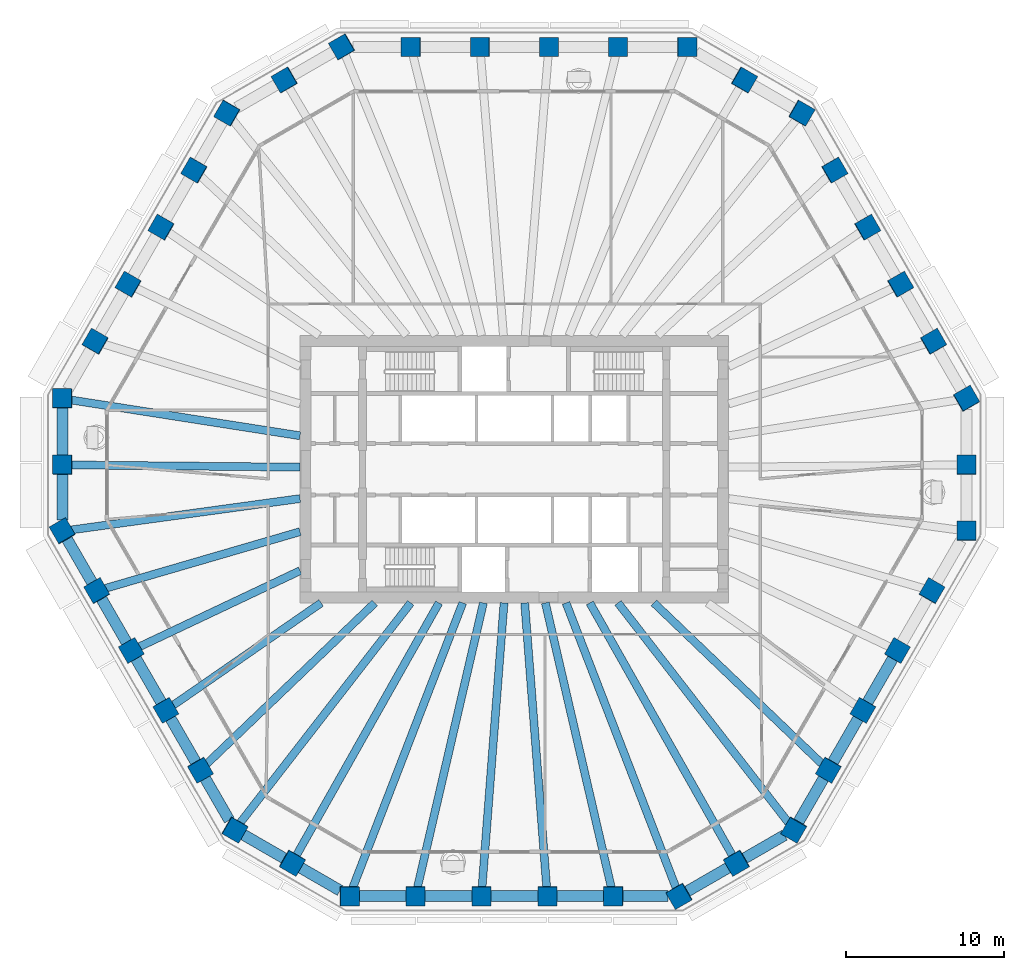
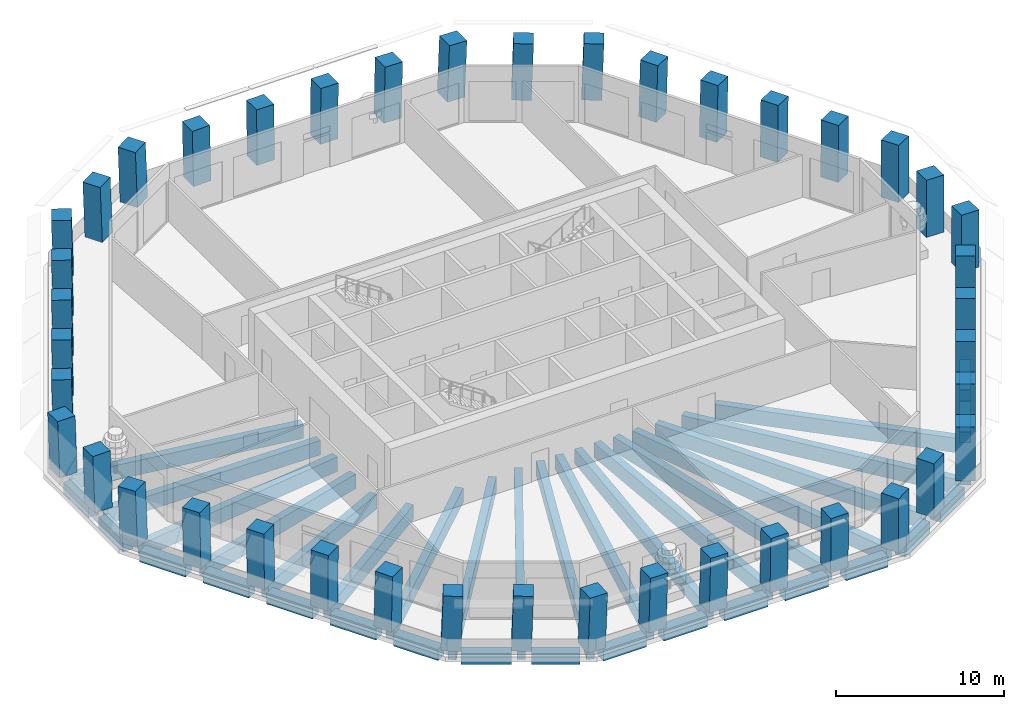
# One storey, part 1 of 12: 42 columns, 37 beams.
"""IFC4 building model written with IfcOpenShell, lengths in metres."""

from ifc_helpers import new_model, si_unit, direction, frame, origin, origin_2d, place, context, subcontext, project, spatial, rectangle, extrude, material, material_profile, profile_set, type_object, element, save


model = new_model("IFC4")

# Units and contexts
model_context = context("Model", 3, precision=1e-05, world=origin(), true_north=direction((0.0, 1.0)))
body_context = subcontext(model_context, "Body", "Model", "MODEL_VIEW")
ifc_project = project(units=[si_unit("LENGTHUNIT", "METRE"), si_unit("AREAUNIT", "SQUARE_METRE"), si_unit("VOLUMEUNIT", "CUBIC_METRE"), si_unit("PLANEANGLEUNIT", "RADIAN"), si_unit("MASSUNIT", "GRAM", prefix="KILO")], contexts=[model_context])

# Site, building, storey
site_placement = place(None, origin())
site = spatial("IfcSite", under=ifc_project, at=site_placement, CompositionType="ELEMENT")
building_placement = place(site_placement, origin())
building = spatial("IfcBuilding", under=site, at=building_placement, Name="Frailejon Research Tower", CompositionType="ELEMENT")
storey_placement = place(building_placement, frame((0.0, 0.0, 154.0)))
storey = spatial("IfcBuildingStorey", under=building, at=storey_placement, Name="L33", CompositionType="ELEMENT", Elevation=154.0)

# Columns
ifc_material_1 = material(Name="Concrete C60/75", Category="concrete")
ifc_material_profile_1 = material_profile(ifc_material_1, rectangle(XDim=1.199951171875, YDim=1.199951171875, at=origin_2d()), Name="Column 1200")
ifc_profile_set_1 = profile_set([ifc_material_profile_1], Name="Concrete C60/75")
column_type = type_object("IfcColumnType", Name="Column 1200", PredefinedType="COLUMN", material=ifc_profile_set_1)
for number, where, z_axis, x_axis, name in (
    (1, (28.572509765625, -3.910888671875, 0.0), (0.018132630042, 0.031385715123, 0.999342856388), (-2.2275817e-05, 0.999507197449, -0.031390472292), "Column C01"),
    (2, (28.572509765625, 0.276611328125, 0.0), (0.018132630042, 0.031385715123, 0.999342856388), (-0.000336383425, 0.999507319949, -0.031384776797), "Column C02"),
    (3, (28.572509765625, 4.464111328125, 0.0), (0.018132630042, 0.031385715123, 0.999342856388), (-0.499938597704, 0.865871218169, -0.018122694964), "Column C03"),
):
    element("IfcColumn", number, at=place(storey_placement, frame(where, z_axis=z_axis, x_axis=x_axis)), inside=storey, type_object=column_type, Name=name, PredefinedType="COLUMN", context=body_context, shape_type="SweptSolid", body=[
        extrude(rectangle(XDim=1.199951171875, YDim=1.199951171875, at=origin_2d()), origin(), (0.0, 0.0, 1.0), 4.052734375),
    ])
column_1_placement = place(storey_placement, frame((26.48828125, 8.07373046875, 0.0), z_axis=(0.021809609218, 0.025123223878, 0.999446429063), x_axis=(-0.499316957517, 0.86635106376, -0.010881647777)))
element("IfcColumn", 4, at=column_1_placement, inside=storey, type_object=column_type, Name="Column C04", PredefinedType="COLUMN", context=body_context, shape_type="SweptSolid", body=[
    extrude(rectangle(XDim=1.199951171875, YDim=1.199951171875, at=origin_2d()), origin(), (0.0, 0.0, 1.0), 4.05224609375),
])
for number, where, z_axis, x_axis, name in (
    (5, (24.404296875, 11.683349609375, 0.0), (0.025425794273, 0.018858468264, 0.999498817988), (-0.499709914648, 0.866185208492, -0.003631224684), "Column C05"),
    (6, (22.3203125, 15.293212890625, 0.0), (0.029040860623, 0.012532155622, 0.999499661576), (-0.498795158794, 0.866712319891, 0.003625480981), "Column C06"),
):
    element("IfcColumn", number, at=place(storey_placement, frame(where, z_axis=z_axis, x_axis=x_axis)), inside=storey, type_object=column_type, Name=name, PredefinedType="COLUMN", context=body_context, shape_type="SweptSolid", body=[
        extrude(rectangle(XDim=1.199951171875, YDim=1.199951171875, at=origin_2d()), origin(), (0.0, 0.0, 1.0), 4.052001953125),
    ])
column_2_placement = place(storey_placement, frame((20.236328125, 18.90283203125, 0.0), z_axis=(0.032654187208, 0.006265748099, 0.999447069363), x_axis=(-0.499519823947, 0.866234008258, 0.010889831076)))
element("IfcColumn", 7, at=column_2_placement, inside=storey, type_object=column_type, Name="Column C07", PredefinedType="COLUMN", context=body_context, shape_type="SweptSolid", body=[
    extrude(rectangle(XDim=1.199951171875, YDim=1.199951171875, at=origin_2d()), origin(), (0.0, 0.0, 1.0), 4.05224609375),
])
for number, where, z_axis, x_axis, name in (
    (8, (18.15234375, 22.512451171875, 0.0), (0.036265236264, 0.0, 0.999342199969), (-0.865313546461, 0.500246354177, 0.031401456084), "Column C08"),
    (9, (14.525634765625, 24.606201171875, 0.0), (0.036265236264, 0.0, 0.999342199969), (-0.865313546461, 0.500246354177, 0.031401456084), "Column C09"),
    (10, (10.899169921875, 26.699951171875, 0.0), (0.036265236264, 0.0, 0.999342199969), (-0.999342199969, 0.0, 0.036265236264), "Column C10"),
):
    element("IfcColumn", number, at=place(storey_placement, frame(where, z_axis=z_axis, x_axis=x_axis)), inside=storey, type_object=column_type, Name=name, PredefinedType="COLUMN", context=body_context, shape_type="SweptSolid", body=[
        extrude(rectangle(XDim=1.199951171875, YDim=1.199951171875, at=origin_2d()), origin(), (0.0, 0.0, 1.0), 4.052734375),
    ])
column_3_placement = place(storey_placement, frame((6.53955078125, 26.699951171875, 0.0), z_axis=(0.021756257337, 0.0, 0.999763304621), x_axis=(-0.999763304621, 0.0, 0.021756257337)))
element("IfcColumn", 11, at=column_3_placement, inside=storey, type_object=column_type, Name="Column C11", PredefinedType="COLUMN", context=body_context, shape_type="SweptSolid", body=[
    extrude(rectangle(XDim=1.199951171875, YDim=1.199951171875, at=origin_2d()), origin(), (0.0, 0.0, 1.0), 4.051025390625),
])
for number, where, z_axis, x_axis, name in (
    (12, (2.1796875, 26.699951171875, 0.0), (0.007293795973, 0.0, 0.999973399916), (-0.999973399916, 0.0, 0.007293795973), "Column C12"),
    (13, (-2.1796875, 26.699951171875, 0.0), (-0.007293795973, 0.0, 0.999973399916), (-0.999973399916, 0.0, -0.007293795973), "Column C13"),
):
    element("IfcColumn", number, at=place(storey_placement, frame(where, z_axis=z_axis, x_axis=x_axis)), inside=storey, type_object=column_type, Name=name, PredefinedType="COLUMN", context=body_context, shape_type="SweptSolid", body=[
        extrude(rectangle(XDim=1.199951171875, YDim=1.199951171875, at=origin_2d()), origin(), (0.0, 0.0, 1.0), 4.050048828125),
    ])
column_4_placement = place(storey_placement, frame((-6.53955078125, 26.699951171875, 0.0), z_axis=(-0.021756257337, 0.0, 0.999763304621), x_axis=(-0.999763304621, 0.0, -0.021756257337)))
element("IfcColumn", 14, at=column_4_placement, inside=storey, type_object=column_type, Name="Column C14", PredefinedType="COLUMN", context=body_context, shape_type="SweptSolid", body=[
    extrude(rectangle(XDim=1.199951171875, YDim=1.199951171875, at=origin_2d()), origin(), (0.0, 0.0, 1.0), 4.051025390625),
])
for number, where, z_axis, x_axis, name in (
    (15, (-10.899169921875, 26.699951171875, 0.0), (-0.036265236264, 0.0, 0.999342199969), (-0.865313546461, -0.500246354177, -0.031401456084), "Column C15"),
    (16, (-14.525634765625, 24.606201171875, 0.0), (-0.036265236264, 0.0, 0.999342199969), (-0.865313546461, -0.500246354177, -0.031401456084), "Column C16"),
    (17, (-18.15234375, 22.512451171875, 0.0), (-0.036265236264, 0.0, 0.999342199969), (-0.499424867419, -0.866167613071, -0.018123682572), "Column C17"),
):
    element("IfcColumn", number, at=place(storey_placement, frame(where, z_axis=z_axis, x_axis=x_axis)), inside=storey, type_object=column_type, Name=name, PredefinedType="COLUMN", context=body_context, shape_type="SweptSolid", body=[
        extrude(rectangle(XDim=1.199951171875, YDim=1.199951171875, at=origin_2d()), origin(), (0.0, 0.0, 1.0), 4.052734375),
    ])
column_5_placement = place(storey_placement, frame((-20.236328125, 18.90283203125, 0.0), z_axis=(-0.032654187208, 0.006265748099, 0.999447069363), x_axis=(-0.499519823947, -0.866234008258, -0.010889831076)))
element("IfcColumn", 18, at=column_5_placement, inside=storey, type_object=column_type, Name="Column C18", PredefinedType="COLUMN", context=body_context, shape_type="SweptSolid", body=[
    extrude(rectangle(XDim=1.199951171875, YDim=1.199951171875, at=origin_2d()), origin(), (0.0, 0.0, 1.0), 4.05224609375),
])
for number, where, z_axis, x_axis, name in (
    (19, (-22.3203125, 15.293212890625, 0.0), (-0.029040860623, 0.012532155622, 0.999499661576), (-0.498795158794, -0.866712319891, -0.003625480981), "Column C19"),
    (20, (-24.404296875, 11.683349609375, 0.0), (-0.025425794273, 0.018858468264, 0.999498817988), (-0.499709914648, -0.866185208492, 0.003631224684), "Column C20"),
):
    element("IfcColumn", number, at=place(storey_placement, frame(where, z_axis=z_axis, x_axis=x_axis)), inside=storey, type_object=column_type, Name=name, PredefinedType="COLUMN", context=body_context, shape_type="SweptSolid", body=[
        extrude(rectangle(XDim=1.199951171875, YDim=1.199951171875, at=origin_2d()), origin(), (0.0, 0.0, 1.0), 4.052001953125),
    ])
column_6_placement = place(storey_placement, frame((-26.48828125, 8.07373046875, 0.0), z_axis=(-0.021809609218, 0.025123223878, 0.999446429063), x_axis=(-0.499316957517, -0.86635106376, 0.010881647777)))
element("IfcColumn", 21, at=column_6_placement, inside=storey, type_object=column_type, Name="Column C21", PredefinedType="COLUMN", context=body_context, shape_type="SweptSolid", body=[
    extrude(rectangle(XDim=1.199951171875, YDim=1.199951171875, at=origin_2d()), origin(), (0.0, 0.0, 1.0), 4.05224609375),
])
for number, where, z_axis, x_axis, name in (
    (22, (-28.572509765625, 4.464111328125, 0.0), (-0.018132630042, 0.031385715123, 0.999342856388), (-2.2275817e-05, -0.999507197449, 0.031390472292), "Column C22"),
    (23, (-28.572509765625, 0.276611328125, 0.0), (-0.018132630042, 0.031385715123, 0.999342856388), (-0.000336383425, -0.999507319949, 0.031384776797), "Column C23"),
    (24, (-28.572509765625, -3.910888671875, 0.0), (-0.018132630042, 0.031385715123, 0.999342856388), (0.50014482047, -0.865182814935, 0.036247141934), "Column C24"),
):
    element("IfcColumn", number, at=place(storey_placement, frame(where, z_axis=z_axis, x_axis=x_axis)), inside=storey, type_object=column_type, Name=name, PredefinedType="COLUMN", context=body_context, shape_type="SweptSolid", body=[
        extrude(rectangle(XDim=1.199951171875, YDim=1.199951171875, at=origin_2d()), origin(), (0.0, 0.0, 1.0), 4.052734375),
    ])
column_7_placement = place(storey_placement, frame((-26.392578125, -7.6865234375, 0.0), z_axis=(-0.010908253887, 0.018863444567, 0.99976256204), x_axis=(0.500638377412, -0.865382225109, 0.021790354016)))
element("IfcColumn", 25, at=column_7_placement, inside=storey, type_object=column_type, Name="Column C25", PredefinedType="COLUMN", context=body_context, shape_type="SweptSolid", body=[
    extrude(rectangle(XDim=1.199951171875, YDim=1.199951171875, at=origin_2d()), origin(), (0.0, 0.0, 1.0), 4.051025390625),
])
for number, where, z_axis, x_axis, name in (
    (26, (-24.212890625, -11.462158203125, 0.0), (-0.003616759812, 0.006269050341, 0.999973808685), (0.499535500447, -0.866263182786, 0.007237536985), "Column C26"),
    (27, (-22.032958984375, -15.23779296875, 0.0), (0.003616759812, -0.006269050341, 0.999973808685), (0.499535500447, -0.866263182786, -0.007237536985), "Column C27"),
):
    element("IfcColumn", number, at=place(storey_placement, frame(where, z_axis=z_axis, x_axis=x_axis)), inside=storey, type_object=column_type, Name=name, PredefinedType="COLUMN", context=body_context, shape_type="SweptSolid", body=[
        extrude(rectangle(XDim=1.199951171875, YDim=1.199951171875, at=origin_2d()), origin(), (0.0, 0.0, 1.0), 4.050048828125),
    ])
column_8_placement = place(storey_placement, frame((-19.85302734375, -19.013427734375, 0.0), z_axis=(0.010847994403, -0.018863456933, 0.999763217472), x_axis=(0.498562459177, -0.866580616749, -0.02176026136)))
element("IfcColumn", 28, at=column_8_placement, inside=storey, type_object=column_type, Name="Column C28", PredefinedType="COLUMN", context=body_context, shape_type="SweptSolid", body=[
    extrude(rectangle(XDim=1.199951171875, YDim=1.199951171875, at=origin_2d()), origin(), (0.0, 0.0, 1.0), 4.051025390625),
])
for number, where, z_axis, x_axis, name in (
    (29, (-17.67333984375, -22.7890625, 0.0), (0.018132630042, -0.031385715123, 0.999342856388), (0.865884970752, -0.499257274245, -0.031390946777), "Column C29"),
    (30, (-14.046630859375, -24.8828125, 0.0), (0.018132630042, -0.031385715123, 0.999342856388), (0.865999247617, -0.499059286831, -0.031386802217), "Column C30"),
    (31, (-10.420166015625, -26.9765625, 0.0), (0.018132630042, -0.031385715123, 0.999342856388), (0.999835563316, 0.000801623118, -0.018116393931), "Column C31"),
):
    element("IfcColumn", number, at=place(storey_placement, frame(where, z_axis=z_axis, x_axis=x_axis)), inside=storey, type_object=column_type, Name=name, PredefinedType="COLUMN", context=body_context, shape_type="SweptSolid", body=[
        extrude(rectangle(XDim=1.199951171875, YDim=1.199951171875, at=origin_2d()), origin(), (0.0, 0.0, 1.0), 4.052734375),
    ])
column_9_placement = place(storey_placement, frame((-6.252197265625, -26.9765625, 0.0), z_axis=(0.010904819076, -0.031389009606, 0.999447755011), x_axis=(0.999940280046, 0.001063983363, -0.010876777103)))
element("IfcColumn", 32, at=column_9_placement, inside=storey, type_object=column_type, Name="Column C32", PredefinedType="COLUMN", context=body_context, shape_type="SweptSolid", body=[
    extrude(rectangle(XDim=1.199951171875, YDim=1.199951171875, at=origin_2d()), origin(), (0.0, 0.0, 1.0), 4.05224609375),
])
for number, where, z_axis, x_axis, name in (
    (33, (-2.083984375, -26.9765625, 0.0), (0.00361504848, -0.031390670968, 0.999500653927), (0.99999345951, 0.000224604645, -0.003609776873), "Column C33"),
    (34, (2.083984375, -26.9765625, 0.0), (-0.00361504848, -0.031390670968, 0.999500653927), (0.99999345951, -0.000224604645, 0.003609776873), "Column C34"),
):
    element("IfcColumn", number, at=place(storey_placement, frame(where, z_axis=z_axis, x_axis=x_axis)), inside=storey, type_object=column_type, Name=name, PredefinedType="COLUMN", context=body_context, shape_type="SweptSolid", body=[
        extrude(rectangle(XDim=1.199951171875, YDim=1.199951171875, at=origin_2d()), origin(), (0.0, 0.0, 1.0), 4.052001953125),
    ])
column_10_placement = place(storey_placement, frame((6.252197265625, -26.9765625, 0.0), z_axis=(-0.010904819076, -0.031389009606, 0.999447755011), x_axis=(0.999940280046, -0.001063983363, 0.010876777103)))
element("IfcColumn", 35, at=column_10_placement, inside=storey, type_object=column_type, Name="Column C35", PredefinedType="COLUMN", context=body_context, shape_type="SweptSolid", body=[
    extrude(rectangle(XDim=1.199951171875, YDim=1.199951171875, at=origin_2d()), origin(), (0.0, 0.0, 1.0), 4.05224609375),
])
for number, where, z_axis, x_axis, name in (
    (36, (10.420166015625, -26.9765625, 0.0), (-0.018132630042, -0.031385715123, 0.999342856388), (0.865999247617, 0.499059286831, 0.031386802217), "Column C36"),
    (37, (14.046630859375, -24.8828125, 0.0), (-0.018132630042, -0.031385715123, 0.999342856388), (0.865999247617, 0.499059286831, 0.031386802217), "Column C37"),
    (38, (17.67333984375, -22.7890625, 0.0), (-0.018132630042, -0.031385715123, 0.999342856388), (0.499674818932, 0.865454343132, 0.036247141676), "Column C38"),
):
    element("IfcColumn", number, at=place(storey_placement, frame(where, z_axis=z_axis, x_axis=x_axis)), inside=storey, type_object=column_type, Name=name, PredefinedType="COLUMN", context=body_context, shape_type="SweptSolid", body=[
        extrude(rectangle(XDim=1.199951171875, YDim=1.199951171875, at=origin_2d()), origin(), (0.0, 0.0, 1.0), 4.052734375),
    ])
column_11_placement = place(storey_placement, frame((19.85302734375, -19.013427734375, 0.0), z_axis=(-0.010847994403, -0.018863456933, 0.999763217472), x_axis=(0.498562459177, 0.866580616749, 0.02176026136)))
element("IfcColumn", 39, at=column_11_placement, inside=storey, type_object=column_type, Name="Column C39", PredefinedType="COLUMN", context=body_context, shape_type="SweptSolid", body=[
    extrude(rectangle(XDim=1.199951171875, YDim=1.199951171875, at=origin_2d()), origin(), (0.0, 0.0, 1.0), 4.051025390625),
])
for number, where, z_axis, x_axis, name in (
    (40, (22.032958984375, -15.23779296875, 0.0), (-0.003616759812, -0.006269050341, 0.999973808685), (0.499535500447, 0.866263182786, 0.007237536985), "Column C40"),
    (41, (24.212890625, -11.462158203125, 0.0), (0.003616759812, 0.006269050341, 0.999973808685), (0.499535500447, 0.866263182786, -0.007237536985), "Column C41"),
):
    element("IfcColumn", number, at=place(storey_placement, frame(where, z_axis=z_axis, x_axis=x_axis)), inside=storey, type_object=column_type, Name=name, PredefinedType="COLUMN", context=body_context, shape_type="SweptSolid", body=[
        extrude(rectangle(XDim=1.199951171875, YDim=1.199951171875, at=origin_2d()), origin(), (0.0, 0.0, 1.0), 4.050048828125),
    ])
column_12_placement = place(storey_placement, frame((26.392578125, -7.6865234375, 0.0), z_axis=(0.010908253887, 0.018863444567, 0.99976256204), x_axis=(0.500638377412, 0.865382225109, -0.021790354016)))
element("IfcColumn", 42, at=column_12_placement, inside=storey, type_object=column_type, Name="Column C42", PredefinedType="COLUMN", context=body_context, shape_type="SweptSolid", body=[
    extrude(rectangle(XDim=1.199951171875, YDim=1.199951171875, at=origin_2d()), origin(), (0.0, 0.0, 1.0), 4.051025390625),
])

# Beams
ifc_material_2 = material(Name="Concrete C60/75", Category="concrete")
ifc_material_profile_2 = material_profile(ifc_material_2, rectangle(XDim=0.5, YDim=1.050048828125, at=origin_2d()), Name="Girder 500x1050")
ifc_profile_set_2 = profile_set([ifc_material_profile_2], Name="Concrete C60/75")
beam_type_1 = type_object("IfcBeamType", Name="Girder 500x1050", PredefinedType="BEAM", material=ifc_profile_set_2)
beam_1_placement = place(storey_placement, frame((-28.12060546875, 4.3935546875, -0.824951171875), z_axis=(0.988012428288, -0.154374355218, 0.0), x_axis=(0.154374355218, 0.988012428288, 0.0)))
element("IfcBeam", 43, at=beam_1_placement, inside=storey, type_object=beam_type_1, Name="Girder 500x1050", PredefinedType="BEAM", context=body_context, shape_type="SweptSolid", body=[
    extrude(rectangle(XDim=0.5, YDim=1.050048828125, at=origin_2d()), origin(), (0.0, 0.0, 1.0), 14.747314453125),
])
beam_2_placement = place(storey_placement, frame((-28.12255859375, 0.272216796875, -0.824951171875), z_axis=(0.999953117957, -0.009683072294, 0.0), x_axis=(0.009683072294, 0.999953117957, 0.0)))
element("IfcBeam", 44, at=beam_2_placement, inside=storey, type_object=beam_type_1, Name="Girder 500x1050", PredefinedType="BEAM", context=body_context, shape_type="SweptSolid", body=[
    extrude(rectangle(XDim=0.5, YDim=1.050048828125, at=origin_2d()), origin(), (0.0, 0.0, 1.0), 14.5732421875),
])
beam_3_placement = place(storey_placement, frame((-28.0791015625, -3.843505859375, -0.824951171875), z_axis=(0.990761251127, 0.135617636264, 0.0), x_axis=(-0.135617636264, 0.990761251127, 0.0)))
element("IfcBeam", 45, at=beam_3_placement, inside=storey, type_object=beam_type_1, Name="Girder 500x1050", PredefinedType="BEAM", context=body_context, shape_type="SweptSolid", body=[
    extrude(rectangle(XDim=0.5, YDim=1.050048828125, at=origin_2d()), origin(), (0.0, 0.0, 1.0), 14.66455078125),
])
beam_4_placement = place(storey_placement, frame((-25.943603515625, -7.555908203125, -0.824951171875), z_axis=(0.960107537407, 0.279631036572, 0.0), x_axis=(-0.279631036572, 0.960107537407, 0.0)))
element("IfcBeam", 46, at=beam_4_placement, inside=storey, type_object=beam_type_1, Name="Girder 500x1050", PredefinedType="BEAM", context=body_context, shape_type="SweptSolid", body=[
    extrude(rectangle(XDim=0.5, YDim=1.050048828125, at=origin_2d()), origin(), (0.0, 0.0, 1.0), 12.908447265625),
])
beam_5_placement = place(storey_placement, frame((-23.80419921875, -11.268798828125, -0.824951171875), z_axis=(0.903839471022, 0.427871722158, 0.0), x_axis=(-0.427871722158, 0.903839471022, 0.0)))
element("IfcBeam", 47, at=beam_5_placement, inside=storey, type_object=beam_type_1, Name="Girder 500x1050", PredefinedType="BEAM", context=body_context, shape_type="SweptSolid", body=[
    extrude(rectangle(XDim=0.5, YDim=1.050048828125, at=origin_2d()), origin(), (0.0, 0.0, 1.0), 11.34521484375),
])
beam_6_placement = place(storey_placement, frame((-21.6611328125, -14.980712890625, -0.824951171875), z_axis=(0.822461561042, 0.568820692845, 0.0), x_axis=(-0.568820692845, 0.822461561042, 0.0)))
element("IfcBeam", 48, at=beam_6_placement, inside=storey, type_object=beam_type_1, Name="Girder 500x1050", PredefinedType="BEAM", context=body_context, shape_type="SweptSolid", body=[
    extrude(rectangle(XDim=0.5, YDim=1.050048828125, at=origin_2d()), origin(), (0.0, 0.0, 1.0), 11.481201171875),
])
beam_7_placement = place(storey_placement, frame((-19.515380859375, -18.68994140625, -0.824951171875), z_axis=(0.722212307091, 0.691671441861, 0.0), x_axis=(-0.691671441861, 0.722212307091, 0.0)))
element("IfcBeam", 49, at=beam_7_placement, inside=storey, type_object=beam_type_1, Name="Girder 500x1050", PredefinedType="BEAM", context=body_context, shape_type="SweptSolid", body=[
    extrude(rectangle(XDim=0.5, YDim=1.050048828125, at=origin_2d()), origin(), (0.0, 0.0, 1.0), 14.8046875),
])
beam_8_placement = place(storey_placement, frame((-17.39404296875, -22.428955078125, -0.824951171875), z_axis=(0.612830730215, 0.790214209, 0.0), x_axis=(-0.790214209, 0.612830730215, 0.0)))
element("IfcBeam", 50, at=beam_8_placement, inside=storey, type_object=beam_type_1, Name="Girder 500x1050", PredefinedType="BEAM", context=body_context, shape_type="SweptSolid", body=[
    extrude(rectangle(XDim=0.5, YDim=1.050048828125, at=origin_2d()), origin(), (0.0, 0.0, 1.0), 17.690185546875),
])
beam_9_placement = place(storey_placement, frame((-13.825439453125, -24.490966796875, -0.824951171875), z_axis=(0.491594692257, 0.87082412607, 0.0), x_axis=(-0.87082412607, 0.491594692257, 0.0)))
element("IfcBeam", 51, at=beam_9_placement, inside=storey, type_object=beam_type_1, Name="Girder 500x1050", PredefinedType="BEAM", context=body_context, shape_type="SweptSolid", body=[
    extrude(rectangle(XDim=0.5, YDim=1.050048828125, at=origin_2d()), origin(), (0.0, 0.0, 1.0), 18.42041015625),
])
beam_10_placement = place(storey_placement, frame((-10.242431640625, -26.5166015625, -0.824951171875), z_axis=(0.360319259052, 0.932829047337, 0.0), x_axis=(-0.932829047337, 0.360319259052, 0.0)))
element("IfcBeam", 52, at=beam_10_placement, inside=storey, type_object=beam_type_1, Name="Girder 500x1050", PredefinedType="BEAM", context=body_context, shape_type="SweptSolid", body=[
    extrude(rectangle(XDim=0.5, YDim=1.050048828125, at=origin_2d()), origin(), (0.0, 0.0, 1.0), 19.36767578125),
])
beam_11_placement = place(storey_placement, frame((-6.14697265625, -26.522705078125, -0.824951171875), z_axis=(0.225772473424, 0.974180060484, 0.0), x_axis=(-0.974180060484, 0.225772473424, 0.0)))
element("IfcBeam", 53, at=beam_11_placement, inside=storey, type_object=beam_type_1, Name="Girder 500x1050", PredefinedType="BEAM", context=body_context, shape_type="SweptSolid", body=[
    extrude(rectangle(XDim=0.5, YDim=1.050048828125, at=origin_2d()), origin(), (0.0, 0.0, 1.0), 18.5517578125),
])
for number, where, z_axis, x_axis, name in (
    (54, (-2.04931640625, -26.526123046875, -0.824951171875), (0.077026017767, 0.99702908312, 0.0), (-0.99702908312, 0.077026017767, 0.0), "Girder 500x1050"),
    (55, (2.04931640625, -26.526123046875, -0.824951171875), (-0.077026017767, 0.99702908312, 0.0), (-0.99702908312, -0.077026017767, 0.0), "Girder 500x1050"),
):
    element("IfcBeam", number, at=place(storey_placement, frame(where, z_axis=z_axis, x_axis=x_axis)), inside=storey, type_object=beam_type_1, Name=name, PredefinedType="BEAM", context=body_context, shape_type="SweptSolid", body=[
        extrude(rectangle(XDim=0.5, YDim=1.050048828125, at=origin_2d()), origin(), (0.0, 0.0, 1.0), 18.130126953125),
    ])
beam_12_placement = place(storey_placement, frame((6.14697265625, -26.522705078125, -0.824951171875), z_axis=(-0.225772473424, 0.974180060484, 0.0), x_axis=(-0.974180060484, -0.225772473424, 0.0)))
element("IfcBeam", 56, at=beam_12_placement, inside=storey, type_object=beam_type_1, Name="Girder 500x1050", PredefinedType="BEAM", context=body_context, shape_type="SweptSolid", body=[
    extrude(rectangle(XDim=0.5, YDim=1.050048828125, at=origin_2d()), origin(), (0.0, 0.0, 1.0), 18.5517578125),
])
beam_13_placement = place(storey_placement, frame((10.25537109375, -26.550048828125, -0.824951171875), z_axis=(-0.360320153435, 0.932828701868, 0.0), x_axis=(-0.932828701868, -0.360320153435, 0.0)))
element("IfcBeam", 57, at=beam_13_placement, inside=storey, type_object=beam_type_1, Name="Girder 500x1050", PredefinedType="BEAM", context=body_context, shape_type="SweptSolid", body=[
    extrude(rectangle(XDim=0.5, YDim=1.050048828125, at=origin_2d()), origin(), (0.0, 0.0, 1.0), 19.403564453125),
])
beam_14_placement = place(storey_placement, frame((13.825439453125, -24.490966796875, -0.824951171875), z_axis=(-0.491594692257, 0.87082412607, 0.0), x_axis=(-0.87082412607, -0.491594692257, 0.0)))
element("IfcBeam", 58, at=beam_14_placement, inside=storey, type_object=beam_type_1, Name="Girder 500x1050", PredefinedType="BEAM", context=body_context, shape_type="SweptSolid", body=[
    extrude(rectangle(XDim=0.5, YDim=1.050048828125, at=origin_2d()), origin(), (0.0, 0.0, 1.0), 18.42041015625),
])
beam_15_placement = place(storey_placement, frame((17.3681640625, -22.3955078125, -0.824951171875), z_axis=(-0.612832863055, 0.790212554924, 0.0), x_axis=(-0.790212554924, -0.612832863055, 0.0)))
element("IfcBeam", 59, at=beam_15_placement, inside=storey, type_object=beam_type_1, Name="Girder 500x1050", PredefinedType="BEAM", context=body_context, shape_type="SweptSolid", body=[
    extrude(rectangle(XDim=0.5, YDim=1.050048828125, at=origin_2d()), origin(), (0.0, 0.0, 1.0), 17.64794921875),
])
beam_16_placement = place(storey_placement, frame((19.515380859375, -18.68994140625, -0.824951171875), z_axis=(-0.722212307091, 0.691671441861, 0.0), x_axis=(-0.691671441861, -0.722212307091, 0.0)))
element("IfcBeam", 60, at=beam_16_placement, inside=storey, type_object=beam_type_1, Name="Girder 500x1050", PredefinedType="BEAM", context=body_context, shape_type="SweptSolid", body=[
    extrude(rectangle(XDim=0.5, YDim=1.050048828125, at=origin_2d()), origin(), (0.0, 0.0, 1.0), 14.8046875),
])
ifc_material_3 = material(Name="Concrete C60/75", Category="concrete")
ifc_material_profile_3 = material_profile(ifc_material_3, rectangle(XDim=0.699951171875, YDim=0.800048828125, at=origin_2d()), Name="Spandrel 700x800")
ifc_profile_set_3 = profile_set([ifc_material_profile_3], Name="Concrete C60/75")
beam_type_2 = type_object("IfcBeamType", Name="Spandrel 700x800", PredefinedType="BEAM", material=ifc_profile_set_3)
beam_17_placement = place(storey_placement, frame((-28.572509765625, 3.864013671875, -0.75), z_axis=(0.0, -1.0, 0.0), x_axis=(1.0, 0.0, 0.0)))
element("IfcBeam", 61, at=beam_17_placement, inside=storey, type_object=beam_type_2, Name="Spandrel 700x800", PredefinedType="BEAM", context=body_context, shape_type="SweptSolid", body=[
    extrude(rectangle(XDim=0.699951171875, YDim=0.800048828125, at=origin_2d()), origin(), (0.0, 0.0, 1.0), 2.9873046875),
])
beam_18_placement = place(storey_placement, frame((-28.572509765625, -0.323486328125, -0.75), z_axis=(0.0, -1.0, 0.0), x_axis=(1.0, 0.0, 0.0)))
element("IfcBeam", 62, at=beam_18_placement, inside=storey, type_object=beam_type_2, Name="Spandrel 700x800", PredefinedType="BEAM", context=body_context, shape_type="SweptSolid", body=[
    extrude(rectangle(XDim=0.699951171875, YDim=0.800048828125, at=origin_2d()), origin(), (0.0, 0.0, 1.0), 2.894775390625),
])
for number, where, z_axis, x_axis, name in (
    (63, (-28.2724609375, -4.4306640625, -0.75), (0.500003371769, -0.866023457084, 0.0), (0.866023457084, 0.500003371769, 0.0), "Spandrel 700x800"),
    (64, (-26.092529296875, -8.206298828125, -0.75), (0.500003371769, -0.866023457084, 0.0), (0.866023457084, 0.500003371769, 0.0), "Spandrel 700x800"),
):
    element("IfcBeam", number, at=place(storey_placement, frame(where, z_axis=z_axis, x_axis=x_axis)), inside=storey, type_object=beam_type_2, Name=name, PredefinedType="BEAM", context=body_context, shape_type="SweptSolid", body=[
        extrude(rectangle(XDim=0.699951171875, YDim=0.800048828125, at=origin_2d()), origin(), (0.0, 0.0, 1.0), 3.15966796875),
    ])
for number, where, z_axis, x_axis, name in (
    (65, (-23.912841796875, -11.981689453125, -0.75), (0.499969915316, -0.866042772488, 0.0), (0.866042772488, 0.499969915316, 0.0), "Spandrel 700x800"),
    (66, (-21.73291015625, -15.75732421875, -0.75), (0.499969915316, -0.866042772488, 0.0), (0.866042772488, 0.499969915316, 0.0), "Spandrel 700x800"),
):
    element("IfcBeam", number, at=place(storey_placement, frame(where, z_axis=z_axis, x_axis=x_axis)), inside=storey, type_object=beam_type_2, Name=name, PredefinedType="BEAM", context=body_context, shape_type="SweptSolid", body=[
        extrude(rectangle(XDim=0.699951171875, YDim=0.800048828125, at=origin_2d()), origin(), (0.0, 0.0, 1.0), 3.159912109375),
    ])
beam_19_placement = place(storey_placement, frame((-19.552978515625, -19.532958984375, -0.75), z_axis=(0.499940675939, -0.866059651838, 0.0), x_axis=(0.866059651838, 0.499940675939, 0.0)))
element("IfcBeam", 67, at=beam_19_placement, inside=storey, type_object=beam_type_2, Name="Spandrel 700x800", PredefinedType="BEAM", context=body_context, shape_type="SweptSolid", body=[
    extrude(rectangle(XDim=0.699951171875, YDim=0.800048828125, at=origin_2d()), origin(), (0.0, 0.0, 1.0), 3.066650390625),
])
beam_20_placement = place(storey_placement, frame((-17.15380859375, -23.089111328125, -0.75), z_axis=(0.866052229876, -0.499953532967, 0.0), x_axis=(0.499953532967, 0.866052229876, 0.0)))
element("IfcBeam", 68, at=beam_20_placement, inside=storey, type_object=beam_type_2, Name="Spandrel 700x800", PredefinedType="BEAM", context=body_context, shape_type="SweptSolid", body=[
    extrude(rectangle(XDim=0.699951171875, YDim=0.800048828125, at=origin_2d()), origin(), (0.0, 0.0, 1.0), 2.987548828125),
])
beam_21_placement = place(storey_placement, frame((-13.527099609375, -25.182861328125, -0.75), z_axis=(0.866033897268, -0.499985288567, 0.0), x_axis=(0.499985288567, 0.866033897268, 0.0)))
element("IfcBeam", 69, at=beam_21_placement, inside=storey, type_object=beam_type_2, Name="Spandrel 700x800", PredefinedType="BEAM", context=body_context, shape_type="SweptSolid", body=[
    extrude(rectangle(XDim=0.699951171875, YDim=0.800048828125, at=origin_2d()), origin(), (0.0, 0.0, 1.0), 2.89453125),
])
beam_22_placement = place(storey_placement, frame((-9.8203125, -26.9765625, -0.75), z_axis=(1.0, 0.0, 0.0), x_axis=(0.0, 1.0, 0.0)))
element("IfcBeam", 70, at=beam_22_placement, inside=storey, type_object=beam_type_2, Name="Spandrel 700x800", PredefinedType="BEAM", context=body_context, shape_type="SweptSolid", body=[
    extrude(rectangle(XDim=0.699951171875, YDim=0.800048828125, at=origin_2d()), origin(), (0.0, 0.0, 1.0), 2.96826171875),
])
beam_23_placement = place(storey_placement, frame((-5.652099609375, -26.9765625, -0.75), z_axis=(1.0, 0.0, 0.0), x_axis=(0.0, 1.0, 0.0)))
element("IfcBeam", 71, at=beam_23_placement, inside=storey, type_object=beam_type_2, Name="Spandrel 700x800", PredefinedType="BEAM", context=body_context, shape_type="SweptSolid", body=[
    extrude(rectangle(XDim=0.699951171875, YDim=0.800048828125, at=origin_2d()), origin(), (0.0, 0.0, 1.0), 2.968017578125),
])
beam_24_placement = place(storey_placement, frame((-1.48388671875, -26.9765625, -0.75), z_axis=(1.0, 0.0, 0.0), x_axis=(0.0, 1.0, 0.0)))
element("IfcBeam", 72, at=beam_24_placement, inside=storey, type_object=beam_type_2, Name="Spandrel 700x800", PredefinedType="BEAM", context=body_context, shape_type="SweptSolid", body=[
    extrude(rectangle(XDim=0.699951171875, YDim=0.800048828125, at=origin_2d()), origin(), (0.0, 0.0, 1.0), 2.9677734375),
])
beam_25_placement = place(storey_placement, frame((2.68408203125, -26.9765625, -0.75), z_axis=(1.0, 0.0, 0.0), x_axis=(0.0, 1.0, 0.0)))
element("IfcBeam", 73, at=beam_25_placement, inside=storey, type_object=beam_type_2, Name="Spandrel 700x800", PredefinedType="BEAM", context=body_context, shape_type="SweptSolid", body=[
    extrude(rectangle(XDim=0.699951171875, YDim=0.800048828125, at=origin_2d()), origin(), (0.0, 0.0, 1.0), 2.968017578125),
])
beam_26_placement = place(storey_placement, frame((6.85205078125, -26.9765625, -0.75), z_axis=(1.0, 0.0, 0.0), x_axis=(0.0, 1.0, 0.0)))
element("IfcBeam", 74, at=beam_26_placement, inside=storey, type_object=beam_type_2, Name="Spandrel 700x800", PredefinedType="BEAM", context=body_context, shape_type="SweptSolid", body=[
    extrude(rectangle(XDim=0.699951171875, YDim=0.800048828125, at=origin_2d()), origin(), (0.0, 0.0, 1.0), 2.875244140625),
])
beam_27_placement = place(storey_placement, frame((10.939697265625, -26.676513671875, -0.75), z_axis=(0.866052229876, 0.499953532967, 0.0), x_axis=(-0.499953532967, 0.866052229876, 0.0)))
element("IfcBeam", 75, at=beam_27_placement, inside=storey, type_object=beam_type_2, Name="Spandrel 700x800", PredefinedType="BEAM", context=body_context, shape_type="SweptSolid", body=[
    extrude(rectangle(XDim=0.699951171875, YDim=0.800048828125, at=origin_2d()), origin(), (0.0, 0.0, 1.0), 2.987548828125),
])
beam_28_placement = place(storey_placement, frame((14.56640625, -24.582763671875, -0.75), z_axis=(0.866033897268, 0.499985288567, 0.0), x_axis=(-0.499985288567, 0.866033897268, 0.0)))
element("IfcBeam", 76, at=beam_28_placement, inside=storey, type_object=beam_type_2, Name="Spandrel 700x800", PredefinedType="BEAM", context=body_context, shape_type="SweptSolid", body=[
    extrude(rectangle(XDim=0.699951171875, YDim=0.800048828125, at=origin_2d()), origin(), (0.0, 0.0, 1.0), 2.89453125),
])
beam_29_placement = place(storey_placement, frame((17.973388671875, -22.269287109375, -0.75), z_axis=(0.499945417423, 0.866056914757, 0.0), x_axis=(-0.866056914757, 0.499945417423, 0.0)))
element("IfcBeam", 77, at=beam_29_placement, inside=storey, type_object=beam_type_2, Name="Spandrel 700x800", PredefinedType="BEAM", context=body_context, shape_type="SweptSolid", body=[
    extrude(rectangle(XDim=0.699951171875, YDim=0.800048828125, at=origin_2d()), origin(), (0.0, 0.0, 1.0), 3.159423828125),
])
for number, where, z_axis, x_axis, name in (
    (78, (20.153076171875, -18.493896484375, -0.75), (0.499969915316, 0.866042772488, 0.0), (-0.866042772488, 0.499969915316, 0.0), "Spandrel 700x800"),
    (79, (22.3330078125, -14.71826171875, -0.75), (0.499969915316, 0.866042772488, 0.0), (-0.866042772488, 0.499969915316, 0.0), "Spandrel 700x800"),
):
    element("IfcBeam", number, at=place(storey_placement, frame(where, z_axis=z_axis, x_axis=x_axis)), inside=storey, type_object=beam_type_2, Name=name, PredefinedType="BEAM", context=body_context, shape_type="SweptSolid", body=[
        extrude(rectangle(XDim=0.699951171875, YDim=0.800048828125, at=origin_2d()), origin(), (0.0, 0.0, 1.0), 3.159912109375),
    ])

save(model, "model.ifc")
